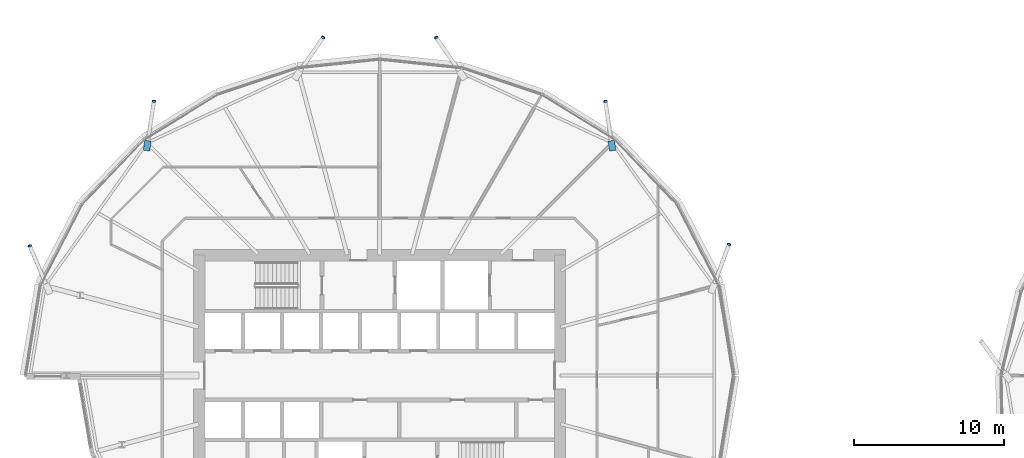
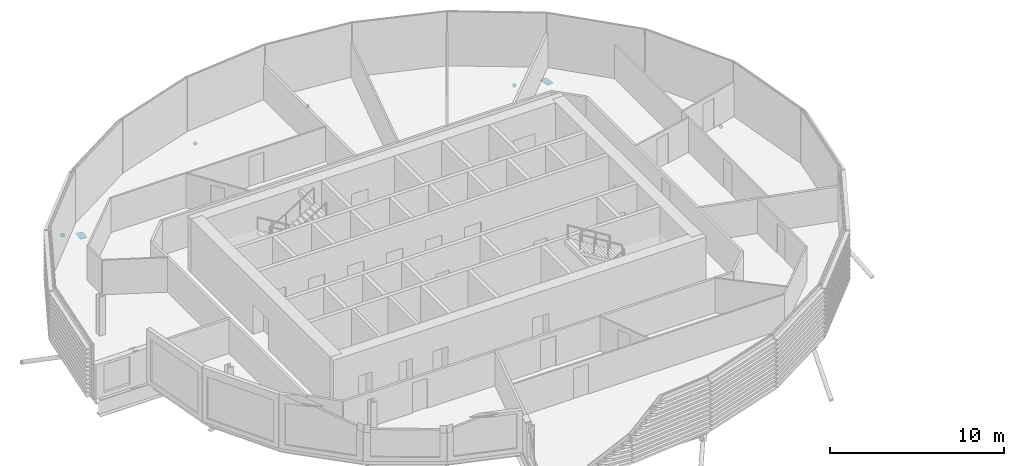
# One storey, part 29 of 39: 8 discrete accessories.
"""IFC4 building model written with IfcOpenShell, lengths in metres."""

from ifc_helpers import new_model, si_unit, direction, frame, origin, origin_2d, place, context, subcontext, project, spatial, polyline, rectangle, circle, outline, extrude, material, material_profile, profile_set, type_object, element, save


model = new_model("IFC4")

# Units and contexts
model_context = context("Model", 3, precision=1e-05, world=origin(), true_north=direction((0.0, 1.0)))
body_context = subcontext(model_context, "Body", "Model", "MODEL_VIEW")
ifc_project = project(units=[si_unit("LENGTHUNIT", "METRE"), si_unit("AREAUNIT", "SQUARE_METRE"), si_unit("VOLUMEUNIT", "CUBIC_METRE"), si_unit("PLANEANGLEUNIT", "RADIAN"), si_unit("MASSUNIT", "GRAM", prefix="KILO")], contexts=[model_context])

# Site, building, storey
site_placement = place(None, origin())
site = spatial("IfcSite", under=ifc_project, at=site_placement, CompositionType="ELEMENT")
building_placement = place(site_placement, origin())
building = spatial("IfcBuilding", under=site, at=building_placement, Name="Rimbun Link Towers", CompositionType="ELEMENT")
storey_placement = place(building_placement, frame((0.0, 0.0, 100.60009765625)))
storey = spatial("IfcBuildingStorey", under=building, at=storey_placement, Name="L24", CompositionType="ELEMENT", Elevation=100.60009765625)

# Discrete accessories
ifc_material_1 = material(Name="Steel S355J2H", Category="steel")
ifc_material_profile_1 = material_profile(ifc_material_1, circle(Radius=0.1240234375, at=origin_2d()), Name="PL D248")
ifc_profile_set_1 = profile_set([ifc_material_profile_1], Name="Steel S355J2H")
discrete_accessory_type_1 = type_object("IfcDiscreteAccessoryType", Name="Link foot sealing plate D248X20", PredefinedType="BRACKET", material=ifc_profile_set_1)
for number, where, z_axis, x_axis, name in (
    (1, (-8.52490234375, 8.712890625, -2.612548828125), (0.305446406249, 0.794160656248, -0.525367818749), (-0.933345606203, 0.358979079309, 0.0), "Link foot sealing plate T1 L24 01"),
    (2, (-16.739501953125, 18.226806640625, -2.604248046875), (-0.134577342886, 0.831932665116, -0.538309371546), (-0.987167398737, -0.159688843913, 0.0), "Link foot sealing plate T1 L24 03"),
):
    element("IfcDiscreteAccessory", number, at=place(storey_placement, frame(where, z_axis=z_axis, x_axis=x_axis)), inside=storey, type_object=discrete_accessory_type_1, Name=name, PredefinedType="BRACKET", context=body_context, shape_type="SweptSolid", body=[
        extrude(circle(Radius=0.1240234375, at=origin_2d()), origin(), (0.0, 0.0, 1.0), 0.02001953125),
    ])
for number, where, z_axis, x_axis, name in (
    (3, (-27.9921875, 22.472900390625, -2.68798828125), (-0.491881773208, 0.700931526822, -0.516475861869), (-0.818556692462, -0.574425749096, 0.0), "Link foot sealing plate T1 L24 05"),
    (4, (-35.5078125, 22.472900390625, -2.68798828125), (0.491881773208, 0.700931526822, -0.516475861869), (-0.818556692462, 0.574425749096, 0.0), "Link foot sealing plate T1 L24 07"),
):
    element("IfcDiscreteAccessory", number, at=place(storey_placement, frame(where, z_axis=z_axis, x_axis=x_axis)), inside=storey, type_object=discrete_accessory_type_1, Name=name, PredefinedType="BRACKET", context=body_context, shape_type="SweptSolid", body=[
        extrude(circle(Radius=0.1240234375, at=origin_2d()), origin(), (0.0, 0.0, 1.0), 0.019775390625),
    ])
for number, where, z_axis, x_axis, name in (
    (5, (-46.760498046875, 18.226806640625, -2.604248046875), (0.134577342886, 0.831932665116, -0.538309371546), (-0.987167398737, 0.159688843913, 0.0), "Link foot sealing plate T1 L24 09"),
    (6, (-55.011474609375, 8.616943359375, -2.822509765625), (-0.341057875994, 0.803922136271, -0.487225537134), (-0.920581781875, -0.390549846856, 0.0), "Link foot sealing plate T1 L24 11"),
):
    element("IfcDiscreteAccessory", number, at=place(storey_placement, frame(where, z_axis=z_axis, x_axis=x_axis)), inside=storey, type_object=discrete_accessory_type_1, Name=name, PredefinedType="BRACKET", context=body_context, shape_type="SweptSolid", body=[
        extrude(circle(Radius=0.1240234375, at=origin_2d()), origin(), (0.0, 0.0, 1.0), 0.02001953125),
    ])
ifc_material_2 = material(Name="Steel S355J2H", Category="steel")
ifc_material_profile_2 = material_profile(ifc_material_2, rectangle(XDim=0.43310546875, YDim=0.43310546875, at=origin_2d()), Name="PL 433x433")
ifc_profile_set_2 = profile_set([ifc_material_profile_2], Name="Steel S355J2H")
discrete_accessory_type_2 = type_object("IfcDiscreteAccessoryType", Name="Link head end plate 433X20", PredefinedType="BRACKET", material=ifc_profile_set_2)
discrete_accessory_1_placement = place(storey_placement, frame((0.0, 0.0, -0.713134765625)))
element("IfcDiscreteAccessory", 7, at=discrete_accessory_1_placement, inside=storey, type_object=discrete_accessory_type_2, Name="Link head end plate T1 L24 03", PredefinedType="BRACKET", context=body_context, shape_type="SweptSolid", body=[
    extrude(outline(polyline([(-16.033447265625, 14.9833984375), (-16.1328125, 15.64501953125), (-16.56103515625, 15.580810546875), (-16.461669921875, 14.9189453125), (-16.033447265625, 14.9833984375)])), origin(), (0.0, 0.0, 1.0), 0.02001953125),
])
discrete_accessory_2_placement = place(storey_placement, frame((0.0, 0.0, -0.713134765625)))
element("IfcDiscreteAccessory", 8, at=discrete_accessory_2_placement, inside=storey, type_object=discrete_accessory_type_2, Name="Link head end plate T1 L24 09", PredefinedType="BRACKET", context=body_context, shape_type="SweptSolid", body=[
    extrude(outline(polyline([(-47.038330078125, 14.9189453125), (-46.93896484375, 15.580810546875), (-47.3671875, 15.64501953125), (-47.466552734375, 14.9833984375), (-47.038330078125, 14.9189453125)])), origin(), (0.0, 0.0, 1.0), 0.02001953125),
])

save(model, "model.ifc")
